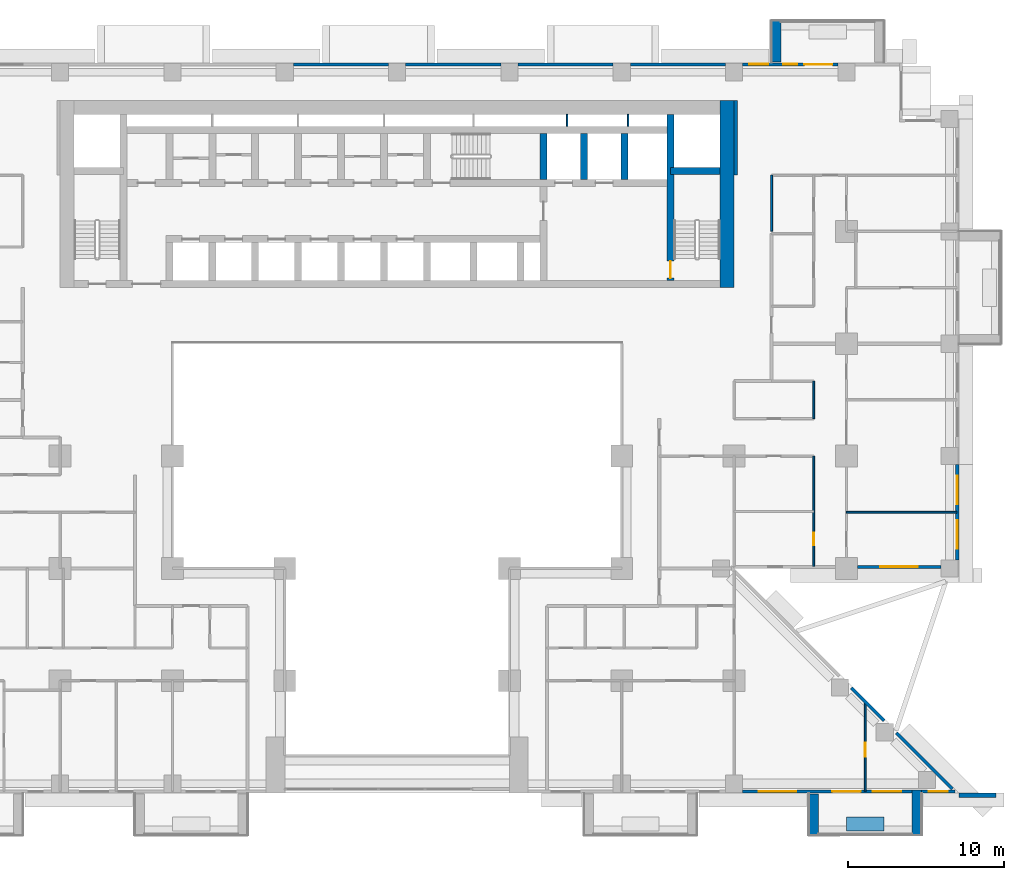
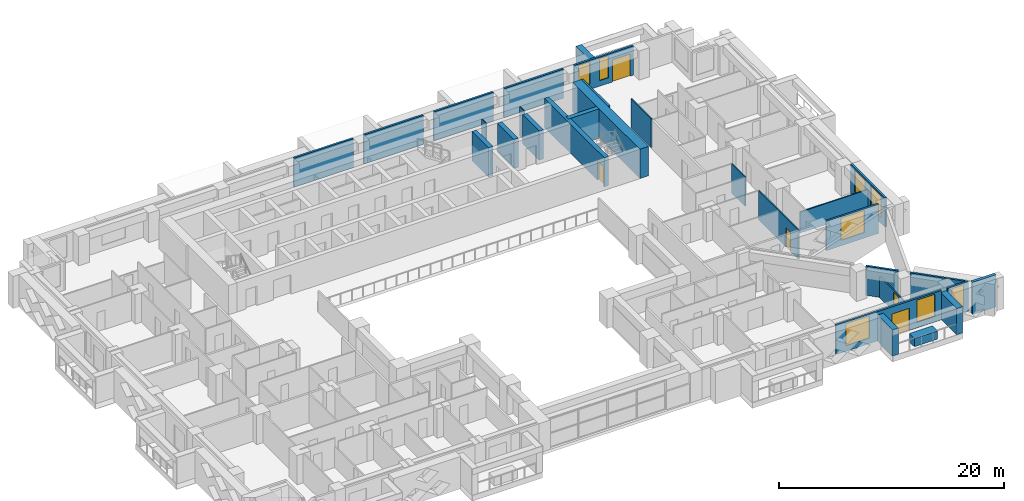
# One storey, part 11 of 17: 30 walls, 8 windows, 5 doors, 13 openings.
"""IFC4 building model written with IfcOpenShell, lengths in metres."""

from ifc_helpers import new_model, si_unit, direction, frame, frame_2d, origin, place, context, subcontext, project, spatial, rectangle, extrude, material, layer, layer_set, type_object, element, fill, save


model = new_model("IFC4")

# Units and contexts
model_context = context("Model", 3, precision=1e-05, world=origin(), true_north=direction((0.0, 1.0)))
body_context = subcontext(model_context, "Body", "Model", "MODEL_VIEW")
ifc_project = project(units=[si_unit("LENGTHUNIT", "METRE"), si_unit("AREAUNIT", "SQUARE_METRE"), si_unit("VOLUMEUNIT", "CUBIC_METRE"), si_unit("PLANEANGLEUNIT", "RADIAN"), si_unit("MASSUNIT", "GRAM", prefix="KILO")], contexts=[model_context])

# Site, building, storey
site_placement = place(None, origin())
site = spatial("IfcSite", under=ifc_project, at=site_placement, CompositionType="ELEMENT")
building_placement = place(site_placement, origin())
building = spatial("IfcBuilding", under=site, at=building_placement, Name="Saffron Iwan Residences", CompositionType="ELEMENT")
storey_placement = place(building_placement, frame((0.0, 0.0, 41.0)))
storey = spatial("IfcBuildingStorey", under=building, at=storey_placement, Name="L09", CompositionType="ELEMENT", Elevation=41.0)

# Walls
ifc_material_1 = material(Name="Concrete C50/60 white painted", Category="concrete")
ifc_layer_1 = layer(ifc_material_1, 0.60009765625)
ifc_layer_set_1 = layer_set([ifc_layer_1], Name="Concrete C50/60 white painted")
wall_type_1 = type_object("IfcWallType", Name="BALCONY FIN 600", PredefinedType="SOLIDWALL", material=ifc_layer_set_1)
for number, where, z_axis, x_axis, name in (
    (1, (74.699951171875, 80.449951171875, 0.0), (0.0, 0.0, 1.0), (0.0, 1.0, 0.0), "Balcony fin L09 F5-0b"),
    (2, (77.10009765625, 33.550048828125, 0.0), (0.0, 0.0, 1.0), (0.0, -1.0, 0.0), "Balcony fin L09 11-3a"),
):
    element("IfcWall", number, at=place(storey_placement, frame(where, z_axis=z_axis, x_axis=x_axis)), inside=storey, type_object=wall_type_1, Name=name, PredefinedType="SOLIDWALL", context=body_context, shape_type="SweptSolid", body=[
        extrude(rectangle(XDim=2.650146484375, YDim=0.60009765625, at=frame_2d((1.3251953125, 0.0))), origin(), (0.0, 0.0, 1.0), 2.85009765625),
    ])
wall_1_placement = place(storey_placement, frame((83.699951171875, 33.7919921875, 0.0), z_axis=(0.0, 0.0, 1.0), x_axis=(0.0, -1.0, 0.0)))
element("IfcWall", 3, at=wall_1_placement, inside=storey, type_object=wall_type_1, Name="Balcony fin L09 11-3b", PredefinedType="SOLIDWALL", context=body_context, shape_type="SweptSolid", body=[
    extrude(rectangle(XDim=2.89208984375, YDim=0.60009765625, at=frame_2d((1.446044921875, 0.0))), origin(), (0.0, 0.0, 1.0), 2.85009765625),
])
ifc_material_2 = material(Name="Concrete C35/45 white painted", Category="concrete")
ifc_layer_2 = layer(ifc_material_2, 0.14990234375)
ifc_layer_set_2 = layer_set([ifc_layer_2], Name="Concrete C35/45 white painted")
wall_type_2 = type_object("IfcWallType", Name="BALCONY PLANTER", PredefinedType="SOLIDWALL", material=ifc_layer_set_2)
wall_2_placement = place(storey_placement, frame((79.199951171875, 31.625, 0.0), z_axis=(0.0, 0.0, 1.0), x_axis=(1.0, 0.0, 0.0)))
element("IfcWall", 4, at=wall_2_placement, inside=storey, type_object=wall_type_2, Name="PLANTER L09 11-3", PredefinedType="SOLIDWALL", context=body_context, shape_type="SweptSolid", body=[
    extrude(rectangle(XDim=2.400146484375, YDim=0.89990234375, at=frame_2d((1.2001953125, 0.0))), origin(), (0.0, 0.0, 1.0), 0.89990234375),
])
ifc_material_3 = material(Name="Concrete C40/50", Category="concrete")
ifc_layer_3 = layer(ifc_material_3, 0.199951171875)
ifc_layer_set_3 = layer_set([ifc_layer_3], Name="Concrete C40/50")
wall_type_3 = type_object("IfcWallType", Name="EXTERNAL WALL 200", PredefinedType="SOLIDWALL", material=ifc_layer_set_3)
wall_3_placement = place(storey_placement, frame((85.995849609375, 33.862548828125, 0.0), z_axis=(0.0, 0.0, 1.0), x_axis=(-0.7070827891, 0.707130772459, 0.0)))
element("IfcWall", 5, at=wall_3_placement, inside=storey, type_object=wall_type_3, Name="External wall L09 F0.0", PredefinedType="SOLIDWALL", context=body_context, shape_type="SweptSolid", body=[
    extrude(rectangle(XDim=5.088134765625, YDim=0.199951171875, at=frame_2d((2.5439453125, 0.0))), origin(), (0.0, 0.0, 1.0), 3.179931640625),
])
wall_4_placement = place(storey_placement, frame((81.620361328125, 38.23828125, 0.0), z_axis=(0.0, 0.0, 1.0), x_axis=(-0.707106781187, 0.707106781187, 0.0)))
element("IfcWall", 6, at=wall_4_placement, inside=storey, type_object=wall_type_3, Name="External wall L09 F0.1", PredefinedType="SOLIDWALL", context=body_context, shape_type="SweptSolid", body=[
    extrude(rectangle(XDim=2.97265625, YDim=0.199951171875, at=frame_2d((1.486328125, 0.0))), origin(), (0.0, 0.0, 1.0), 3.179931640625),
])

# Wall, opening, window
wall_5_placement = place(storey_placement, frame((79.89990234375, 48.10009765625, 0.0), z_axis=(0.0, 0.0, 1.0), x_axis=(1.0, 0.0, 0.0)))
wall_5 = element("IfcWall", 7, at=wall_5_placement, inside=storey, type_object=wall_type_3, Name="External wall L09 F1.1", PredefinedType="SOLIDWALL", context=body_context, shape_type="SweptSolid", body=[
    extrude(rectangle(XDim=5.35009765625, YDim=0.199951171875, at=frame_2d((2.675048828125, 0.0))), origin(), (0.0, 0.0, 1.0), 3.179931640625),
])
opening_1_placement = place(wall_5_placement, frame((1.47509765625, 0.0, 0.60009765625)))
opening_1 = element("IfcOpeningElement", 8, at=opening_1_placement, cuts=wall_5, Name="Opening W1", PredefinedType="OPENING", context=body_context, shape_type="SweptSolid", body=[
    extrude(rectangle(XDim=2.39990234375, YDim=2.39990234375, at=frame_2d((1.199951171875, 1.199951171875))), frame((0.0, 0.10986328125, 0.0), z_axis=(0.0, -1.0, 0.0), x_axis=(1.0, 0.0, 0.0)), (0.0, 0.0, 1.0), 0.219970703125),
])
ifc_material_4 = material(Name="Clear glass, laminated double glazed", Category="glass")
window_type_1 = type_object("IfcWindowType", Name="WINDOW 2400 x 2400", PartitioningType="DOUBLE_PANEL_VERTICAL", PredefinedType="WINDOW", material=ifc_material_4)
window_1_placement = place(opening_1_placement, origin())
window_1 = element("IfcWindow", 9, at=window_1_placement, inside=storey, type_object=window_type_1, Name="Window L09 F1.0", OverallHeight=2.39990234375, OverallWidth=2.39990234375, PartitioningType="DOUBLE_PANEL_VERTICAL", PredefinedType="WINDOW", context=body_context, shape_type="SweptSolid", body=[
    extrude(rectangle(XDim=2.39990234375, YDim=2.39990234375, at=frame_2d((1.199951171875, 1.199951171875))), frame((0.0, 0.030029296875, 0.0), z_axis=(0.0, -1.0, 0.0), x_axis=(1.0, 0.0, 0.0)), (0.0, 0.0, 1.0), 0.06005859375),
])
fill(opening_1, window_1)

# Wall, openings, windows
wall_6_placement = place(storey_placement, frame((86.300048828125, 48.550048828125, 0.0), z_axis=(0.0, 0.0, 1.0), x_axis=(0.0, 1.0, 0.0)))
wall_6 = element("IfcWall", 10, at=wall_6_placement, inside=storey, type_object=wall_type_3, Name="External wall L09 F2.0", PredefinedType="SOLIDWALL", context=body_context, shape_type="SweptSolid", body=[
    extrude(rectangle(XDim=6.099853515625, YDim=0.199951171875, at=frame_2d((3.0498046875, 0.0))), origin(), (0.0, 0.0, 1.0), 3.179931640625),
])
opening_2_placement = place(wall_6_placement, frame((0.72509765625, 0.0, 0.60009765625)))
opening_2 = element("IfcOpeningElement", 11, at=opening_2_placement, cuts=wall_6, Name="Opening W8", PredefinedType="OPENING", context=body_context, shape_type="SweptSolid", body=[
    extrude(rectangle(XDim=1.800048828125, YDim=2.39990234375, at=frame_2d((0.89990234375, 1.199951171875))), frame((0.0, 0.10986328125, 0.0), z_axis=(0.0, -1.0, 0.0), x_axis=(1.0, 0.0, 0.0)), (0.0, 0.0, 1.0), 0.219970703125),
])
opening_3_placement = place(wall_6_placement, frame((3.574951171875, 0.0, 0.60009765625)))
opening_3 = element("IfcOpeningElement", 12, at=opening_3_placement, cuts=wall_6, Name="Opening W8", PredefinedType="OPENING", context=body_context, shape_type="SweptSolid", body=[
    extrude(rectangle(XDim=1.800048828125, YDim=2.39990234375, at=frame_2d((0.89990234375, 1.199951171875))), frame((0.0, 0.10986328125, 0.0), z_axis=(0.0, -1.0, 0.0), x_axis=(1.0, 0.0, 0.0)), (0.0, 0.0, 1.0), 0.219970703125),
])
window_type_2 = type_object("IfcWindowType", Name="WINDOW 1800 x 2400", PartitioningType="DOUBLE_PANEL_VERTICAL", PredefinedType="WINDOW", material=ifc_material_4)
window_2_placement = place(opening_2_placement, origin())
window_2 = element("IfcWindow", 13, at=window_2_placement, inside=storey, type_object=window_type_2, Name="Window L09 F2.0", OverallHeight=2.39990234375, OverallWidth=1.800048828125, PartitioningType="DOUBLE_PANEL_VERTICAL", PredefinedType="WINDOW", context=body_context, shape_type="SweptSolid", body=[
    extrude(rectangle(XDim=1.800048828125, YDim=2.39990234375, at=frame_2d((0.89990234375, 1.199951171875))), frame((0.0, 0.030029296875, 0.0), z_axis=(0.0, -1.0, 0.0), x_axis=(1.0, 0.0, 0.0)), (0.0, 0.0, 1.0), 0.06005859375),
])
fill(opening_2, window_2)
window_3_placement = place(opening_3_placement, origin())
window_3 = element("IfcWindow", 14, at=window_3_placement, inside=storey, type_object=window_type_2, Name="Window L09 F2.1", OverallHeight=2.39990234375, OverallWidth=1.800048828125, PartitioningType="DOUBLE_PANEL_VERTICAL", PredefinedType="WINDOW", context=body_context, shape_type="SweptSolid", body=[
    extrude(rectangle(XDim=1.800048828125, YDim=2.39990234375, at=frame_2d((0.89990234375, 1.199951171875))), frame((0.0, 0.030029296875, 0.0), z_axis=(0.0, -1.0, 0.0), x_axis=(1.0, 0.0, 0.0)), (0.0, 0.0, 1.0), 0.06005859375),
])
fill(opening_3, window_3)

# Wall, openings, door, windows
wall_7_placement = place(storey_placement, frame((78.64990234375, 80.300048828125, 0.0), z_axis=(0.0, 0.0, 1.0), x_axis=(-1.0, 0.0, 0.0)))
wall_7 = element("IfcWall", 15, at=wall_7_placement, inside=storey, type_object=wall_type_3, Name="External wall L09 F5.1", PredefinedType="SOLIDWALL", context=body_context, shape_type="SweptSolid", body=[
    extrude(rectangle(XDim=6.099853515625, YDim=0.199951171875, at=frame_2d((3.0498046875, 0.0))), origin(), (0.0, 0.0, 1.0), 3.179931640625),
])
opening_4_placement = place(wall_7_placement, frame((0.35009765625, 0.0, 0.0)))
opening_4 = element("IfcOpeningElement", 16, at=opening_4_placement, cuts=wall_7, Name="Opening BD1", PredefinedType="OPENING", context=body_context, shape_type="SweptSolid", body=[
    extrude(rectangle(XDim=1.800048828125, YDim=2.39990234375, at=frame_2d((0.89990234375, 1.199951171875))), frame((0.0, 0.10986328125, 0.0), z_axis=(0.0, -1.0, 0.0), x_axis=(1.0, 0.0, 0.0)), (0.0, 0.0, 1.0), 0.219970703125),
])
opening_5_placement = place(wall_7_placement, frame((2.60009765625, 0.0, 0.60009765625)))
opening_5 = element("IfcOpeningElement", 17, at=opening_5_placement, cuts=wall_7, Name="Opening W10", PredefinedType="OPENING", context=body_context, shape_type="SweptSolid", body=[
    extrude(rectangle(XDim=0.89990234375, YDim=2.39990234375, at=frame_2d((0.449951171875, 1.199951171875))), frame((0.0, 0.10986328125, 0.0), z_axis=(0.0, -1.0, 0.0), x_axis=(1.0, 0.0, 0.0)), (0.0, 0.0, 1.0), 0.219970703125),
])
opening_6_placement = place(wall_7_placement, frame((4.47509765625, 0.0, 0.60009765625)))
opening_6 = element("IfcOpeningElement", 18, at=opening_6_placement, cuts=wall_7, Name="Opening W3", PredefinedType="OPENING", context=body_context, shape_type="SweptSolid", body=[
    extrude(rectangle(XDim=1.199951171875, YDim=2.39990234375, at=frame_2d((0.60009765625, 1.199951171875))), frame((0.0, 0.10986328125, 0.0), z_axis=(0.0, -1.0, 0.0), x_axis=(1.0, 0.0, 0.0)), (0.0, 0.0, 1.0), 0.219970703125),
])
door_type_1 = type_object("IfcDoorType", Name="BALCONY DOOR 1800 x 2400", OperationType="DOUBLE_DOOR_SLIDING", PredefinedType="DOOR", material=ifc_material_4)
door_1_placement = place(opening_4_placement, origin())
door_1 = element("IfcDoor", 19, at=door_1_placement, inside=storey, type_object=door_type_1, Name="Balcony door L09 F5.0", OperationType="DOUBLE_DOOR_SLIDING", OverallHeight=2.39990234375, OverallWidth=1.800048828125, PredefinedType="DOOR", context=body_context, shape_type="SweptSolid", body=[
    extrude(rectangle(XDim=1.800048828125, YDim=2.39990234375, at=frame_2d((0.89990234375, 1.199951171875))), frame((0.0, 0.02490234375, 0.0), z_axis=(0.0, -1.0, 0.0), x_axis=(1.0, 0.0, 0.0)), (0.0, 0.0, 1.0), 0.050048828125),
])
fill(opening_4, door_1)
window_type_3 = type_object("IfcWindowType", Name="WINDOW 1200 x 2400", PartitioningType="SINGLE_PANEL", PredefinedType="WINDOW", material=ifc_material_4)
window_4_placement = place(opening_6_placement, origin())
window_4 = element("IfcWindow", 20, at=window_4_placement, inside=storey, type_object=window_type_3, Name="Window L09 F5.2", OverallHeight=2.39990234375, OverallWidth=1.199951171875, PartitioningType="SINGLE_PANEL", PredefinedType="WINDOW", context=body_context, shape_type="SweptSolid", body=[
    extrude(rectangle(XDim=1.199951171875, YDim=2.39990234375, at=frame_2d((0.60009765625, 1.199951171875))), frame((0.0, 0.030029296875, 0.0), z_axis=(0.0, -1.0, 0.0), x_axis=(1.0, 0.0, 0.0)), (0.0, 0.0, 1.0), 0.06005859375),
])
fill(opening_6, window_4)
window_type_4 = type_object("IfcWindowType", Name="WINDOW 900 x 2400", PartitioningType="SINGLE_PANEL", PredefinedType="WINDOW", material=ifc_material_4)
window_5_placement = place(opening_5_placement, origin())
window_5 = element("IfcWindow", 21, at=window_5_placement, inside=storey, type_object=window_type_4, Name="Window L09 F5.1", OverallHeight=2.39990234375, OverallWidth=0.89990234375, PartitioningType="SINGLE_PANEL", PredefinedType="WINDOW", context=body_context, shape_type="SweptSolid", body=[
    extrude(rectangle(XDim=0.89990234375, YDim=2.39990234375, at=frame_2d((0.449951171875, 1.199951171875))), frame((0.0, 0.030029296875, 0.0), z_axis=(0.0, -1.0, 0.0), x_axis=(1.0, 0.0, 0.0)), (0.0, 0.0, 1.0), 0.06005859375),
])
fill(opening_5, window_5)

# Walls
wall_8_placement = place(storey_placement, frame((71.449951171875, 80.300048828125, 0.0), z_axis=(0.0, 0.0, 1.0), x_axis=(-1.0, 0.0, 0.0)))
element("IfcWall", 22, at=wall_8_placement, inside=storey, type_object=wall_type_3, Name="External wall L09 F5.2", PredefinedType="SOLIDWALL", context=body_context, shape_type="SweptSolid", body=[
    extrude(rectangle(XDim=6.099853515625, YDim=0.199951171875, at=frame_2d((3.0498046875, 0.0))), origin(), (0.0, 0.0, 1.0), 3.179931640625),
])
for number, where, z_axis, x_axis, name in (
    (23, (64.25, 80.300048828125, 0.0), (0.0, 0.0, 1.0), (-1.0, 0.0, 0.0), "External wall L09 F5.3"),
    (24, (57.050048828125, 80.300048828125, 0.0), (0.0, 0.0, 1.0), (-1.0, 0.0, 0.0), "External wall L09 F5.4"),
    (25, (49.85009765625, 80.300048828125, 0.0), (0.0, 0.0, 1.0), (-1.0, 0.0, 0.0), "External wall L09 F5.5"),
):
    element("IfcWall", number, at=place(storey_placement, frame(where, z_axis=z_axis, x_axis=x_axis)), inside=storey, type_object=wall_type_3, Name=name, PredefinedType="SOLIDWALL", context=body_context, shape_type="SweptSolid", body=[
        extrude(rectangle(XDim=6.10009765625, YDim=0.199951171875, at=frame_2d((3.050048828125, 0.0))), origin(), (0.0, 0.0, 1.0), 3.179931640625),
    ])

# Wall, openings, door, windows
wall_9_placement = place(storey_placement, frame((72.550048828125, 33.699951171875, 0.0), z_axis=(0.0, 0.0, 1.0), x_axis=(1.0, 0.0, 0.0)))
wall_9 = element("IfcWall", 26, at=wall_9_placement, inside=storey, type_object=wall_type_3, Name="External wall L09 F11.6", PredefinedType="SOLIDWALL", context=body_context, shape_type="SweptSolid", body=[
    extrude(rectangle(XDim=10.849853515625, YDim=0.199951171875, at=frame_2d((5.4248046875, 0.0))), origin(), (0.0, 0.0, 1.0), 3.179931640625),
])
opening_7_placement = place(wall_9_placement, frame((5.75, 0.0, 0.0)))
opening_7 = element("IfcOpeningElement", 27, at=opening_7_placement, cuts=wall_9, Name="Opening BD1", PredefinedType="OPENING", context=body_context, shape_type="SweptSolid", body=[
    extrude(rectangle(XDim=1.800048828125, YDim=2.39990234375, at=frame_2d((0.89990234375, 1.199951171875))), frame((0.0, 0.10986328125, 0.0), z_axis=(0.0, -1.0, 0.0), x_axis=(1.0, 0.0, 0.0)), (0.0, 0.0, 1.0), 0.219970703125),
])
opening_8_placement = place(wall_9_placement, frame((1.02490234375, 0.0, 0.60009765625)))
opening_8 = element("IfcOpeningElement", 28, at=opening_8_placement, cuts=wall_9, Name="Opening W1", PredefinedType="OPENING", context=body_context, shape_type="SweptSolid", body=[
    extrude(rectangle(XDim=2.39990234375, YDim=2.39990234375, at=frame_2d((1.199951171875, 1.199951171875))), frame((0.0, 0.10986328125, 0.0), z_axis=(0.0, -1.0, 0.0), x_axis=(1.0, 0.0, 0.0)), (0.0, 0.0, 1.0), 0.219970703125),
])
opening_9_placement = place(wall_9_placement, frame((8.35009765625, 0.0, 0.60009765625)))
opening_9 = element("IfcOpeningElement", 29, at=opening_9_placement, cuts=wall_9, Name="Opening W8", PredefinedType="OPENING", context=body_context, shape_type="SweptSolid", body=[
    extrude(rectangle(XDim=1.800048828125, YDim=2.39990234375, at=frame_2d((0.89990234375, 1.199951171875))), frame((0.0, 0.10986328125, 0.0), z_axis=(0.0, -1.0, 0.0), x_axis=(1.0, 0.0, 0.0)), (0.0, 0.0, 1.0), 0.219970703125),
])
door_2_placement = place(opening_7_placement, origin())
door_2 = element("IfcDoor", 30, at=door_2_placement, inside=storey, type_object=door_type_1, Name="Balcony door L09 F11.0", OperationType="DOUBLE_DOOR_SLIDING", OverallHeight=2.39990234375, OverallWidth=1.800048828125, PredefinedType="DOOR", context=body_context, shape_type="SweptSolid", body=[
    extrude(rectangle(XDim=1.800048828125, YDim=2.39990234375, at=frame_2d((0.89990234375, 1.199951171875))), frame((0.0, 0.02490234375, 0.0), z_axis=(0.0, -1.0, 0.0), x_axis=(1.0, 0.0, 0.0)), (0.0, 0.0, 1.0), 0.050048828125),
])
fill(opening_7, door_2)
window_6_placement = place(opening_9_placement, origin())
window_6 = element("IfcWindow", 31, at=window_6_placement, inside=storey, type_object=window_type_2, Name="Window L09 F11.2", OverallHeight=2.39990234375, OverallWidth=1.800048828125, PartitioningType="DOUBLE_PANEL_VERTICAL", PredefinedType="WINDOW", context=body_context, shape_type="SweptSolid", body=[
    extrude(rectangle(XDim=1.800048828125, YDim=2.39990234375, at=frame_2d((0.89990234375, 1.199951171875))), frame((0.0, 0.030029296875, 0.0), z_axis=(0.0, -1.0, 0.0), x_axis=(1.0, 0.0, 0.0)), (0.0, 0.0, 1.0), 0.06005859375),
])
fill(opening_9, window_6)
window_7_placement = place(opening_8_placement, origin())
window_7 = element("IfcWindow", 32, at=window_7_placement, inside=storey, type_object=window_type_1, Name="Window L09 F11.1", OverallHeight=2.39990234375, OverallWidth=2.39990234375, PartitioningType="DOUBLE_PANEL_VERTICAL", PredefinedType="WINDOW", context=body_context, shape_type="SweptSolid", body=[
    extrude(rectangle(XDim=2.39990234375, YDim=2.39990234375, at=frame_2d((1.199951171875, 1.199951171875))), frame((0.0, 0.030029296875, 0.0), z_axis=(0.0, -1.0, 0.0), x_axis=(1.0, 0.0, 0.0)), (0.0, 0.0, 1.0), 0.06005859375),
])
fill(opening_8, window_7)

# Wall, opening, window
wall_10_placement = place(storey_placement, frame((84.0, 33.699951171875, 0.0), z_axis=(0.0, 0.0, 1.0), x_axis=(1.0, 0.0, 0.0)))
wall_10 = element("IfcWall", 33, at=wall_10_placement, inside=storey, type_object=wall_type_3, Name="External wall L09 F11.7", PredefinedType="SOLIDWALL", context=body_context, shape_type="SweptSolid", body=[
    extrude(rectangle(XDim=2.15869140625, YDim=0.199951171875, at=frame_2d((1.079345703125, 0.0))), origin(), (0.0, 0.0, 1.0), 3.179931640625),
])
opening_10_placement = place(wall_10_placement, frame((0.479248046875, 0.0, 0.60009765625)))
opening_10 = element("IfcOpeningElement", 34, at=opening_10_placement, cuts=wall_10, Name="Opening W3", PredefinedType="OPENING", context=body_context, shape_type="SweptSolid", body=[
    extrude(rectangle(XDim=1.199951171875, YDim=2.39990234375, at=frame_2d((0.60009765625, 1.199951171875))), frame((0.0, 0.10986328125, 0.0), z_axis=(0.0, -1.0, 0.0), x_axis=(1.0, 0.0, 0.0)), (0.0, 0.0, 1.0), 0.219970703125),
])
window_8_placement = place(opening_10_placement, origin())
window_8 = element("IfcWindow", 35, at=window_8_placement, inside=storey, type_object=window_type_3, Name="Window L09 F11.0", OverallHeight=2.39990234375, OverallWidth=1.199951171875, PartitioningType="SINGLE_PANEL", PredefinedType="WINDOW", context=body_context, shape_type="SweptSolid", body=[
    extrude(rectangle(XDim=1.199951171875, YDim=2.39990234375, at=frame_2d((0.60009765625, 1.199951171875))), frame((0.0, 0.030029296875, 0.0), z_axis=(0.0, -1.0, 0.0), x_axis=(1.0, 0.0, 0.0)), (0.0, 0.0, 1.0), 0.06005859375),
])
fill(opening_10, window_8)

# Walls
ifc_material_5 = material(Name="Gypsum board partition")
ifc_layer_4 = layer(ifc_material_5, 0.1201171875)
ifc_layer_set_4 = layer_set([ifc_layer_4], Name="Gypsum board partition")
wall_type_4 = type_object("IfcWallType", Name="Flat partition 120", PredefinedType="PARTITIONING", material=ifc_layer_set_4)
wall_11_placement = place(storey_placement, frame((79.199951171875, 51.60009765625, 0.0), z_axis=(0.0, 0.0, 1.0), x_axis=(1.0, 0.0, 0.0)))
element("IfcWall", 36, at=wall_11_placement, inside=storey, type_object=wall_type_4, Name="W-L09-PART-h51.6-79.2", PredefinedType="PARTITIONING", context=body_context, shape_type="SweptSolid", body=[
    extrude(rectangle(XDim=7.074951171875, YDim=0.1201171875, at=frame_2d((3.53759765625, 0.0))), origin(), (0.0, 0.0, 1.0), 2.280029296875),
])
wall_12_placement = place(storey_placement, frame((74.39990234375, 69.6201171875, 0.0), z_axis=(0.0, 0.0, 1.0), x_axis=(0.0, 1.0, 0.0)))
element("IfcWall", 37, at=wall_12_placement, inside=storey, type_object=wall_type_4, Name="W-L09-PART-v74.4-69.62", PredefinedType="PARTITIONING", context=body_context, shape_type="SweptSolid", body=[
    extrude(rectangle(XDim=3.579833984375, YDim=0.1201171875, at=frame_2d((1.7900390625, 0.0))), origin(), (0.0, 0.0, 1.0), 3.179931640625),
])

# Wall, opening, door
wall_13_placement = place(storey_placement, frame((77.10009765625, 48.125, 0.0), z_axis=(0.0, 0.0, 1.0), x_axis=(0.0, 1.0, 0.0)))
wall_13 = element("IfcWall", 38, at=wall_13_placement, inside=storey, type_object=wall_type_4, Name="W-L09-PART-v77.1-48.125", PredefinedType="PARTITIONING", context=body_context, shape_type="SweptSolid", body=[
    extrude(rectangle(XDim=7.074951171875, YDim=0.1201171875, at=frame_2d((3.53759765625, 0.0))), origin(), (0.0, 0.0, 1.0), 3.179931640625),
])
opening_11_placement = place(wall_13_placement, frame((1.362548828125, 0.0, 0.0)))
opening_11 = element("IfcOpeningElement", 39, at=opening_11_placement, cuts=wall_13, Name="Opening FD3", PredefinedType="OPENING", context=body_context, shape_type="SweptSolid", body=[
    extrude(rectangle(XDim=0.800048828125, YDim=2.10009765625, at=frame_2d((0.39990234375, 1.050048828125))), frame((0.0, 0.070068359375, 0.0), z_axis=(0.0, -1.0, 0.0), x_axis=(1.0, 0.0, 0.0)), (0.0, 0.0, 1.0), 0.14013671875),
])
ifc_material_6 = material(Name="Timber door", Category="wood")
door_type_2 = type_object("IfcDoorType", Name="Bathroom door 800", OperationType="NOTDEFINED", PredefinedType="DOOR", material=ifc_material_6)
door_3_placement = place(opening_11_placement, origin())
door_3 = element("IfcDoor", 40, at=door_3_placement, inside=storey, type_object=door_type_2, Name="Door L09-023", OperationType="SINGLE_SWING_LEFT", OverallHeight=2.10009765625, OverallWidth=0.800048828125, PredefinedType="DOOR", context=body_context, shape_type="SweptSolid", body=[
    extrude(rectangle(XDim=0.800048828125, YDim=2.10009765625, at=frame_2d((0.39990234375, 1.050048828125))), frame((0.0, 0.02490234375, 0.0), z_axis=(0.0, -1.0, 0.0), x_axis=(1.0, 0.0, 0.0)), (0.0, 0.0, 1.0), 0.050048828125),
])
fill(opening_11, door_3)

# Wall
wall_14_placement = place(storey_placement, frame((77.10009765625, 57.60009765625, 0.0), z_axis=(0.0, 0.0, 1.0), x_axis=(0.0, 1.0, 0.0)))
element("IfcWall", 41, at=wall_14_placement, inside=storey, type_object=wall_type_4, Name="W-L09-PART-v77.1-57.6", PredefinedType="PARTITIONING", context=body_context, shape_type="SweptSolid", body=[
    extrude(rectangle(XDim=2.39990234375, YDim=0.1201171875, at=frame_2d((1.199951171875, 0.0))), origin(), (0.0, 0.0, 1.0), 3.179931640625),
])

# Wall, opening, door
wall_15_placement = place(storey_placement, frame((80.39990234375, 33.72509765625, 0.0), z_axis=(0.0, 0.0, 1.0), x_axis=(0.0, 1.0, 0.0)))
wall_15 = element("IfcWall", 42, at=wall_15_placement, inside=storey, type_object=wall_type_4, Name="W-L09-PART-v80.4-33.725", PredefinedType="PARTITIONING", context=body_context, shape_type="SweptSolid", body=[
    extrude(rectangle(XDim=5.697998046875, YDim=0.1201171875, at=frame_2d((2.84912109375, 0.0))), origin(), (0.0, 0.0, 1.0), 2.280029296875),
])
opening_12_placement = place(wall_15_placement, frame((2.198974609375, 0.0, 0.0)))
opening_12 = element("IfcOpeningElement", 43, at=opening_12_placement, cuts=wall_15, Name="Opening FD2", PredefinedType="OPENING", context=body_context, shape_type="SweptSolid", body=[
    extrude(rectangle(XDim=0.89990234375, YDim=2.10009765625, at=frame_2d((0.449951171875, 1.050048828125))), frame((0.0, 0.070068359375, 0.0), z_axis=(0.0, -1.0, 0.0), x_axis=(1.0, 0.0, 0.0)), (0.0, 0.0, 1.0), 0.14013671875),
])
door_type_3 = type_object("IfcDoorType", Name="Flat door 900", OperationType="NOTDEFINED", PredefinedType="DOOR", material=ifc_material_6)
door_4_placement = place(opening_12_placement, origin())
door_4 = element("IfcDoor", 44, at=door_4_placement, inside=storey, type_object=door_type_3, Name="Door L09-050", OperationType="SINGLE_SWING_RIGHT", OverallHeight=2.10009765625, OverallWidth=0.89990234375, PredefinedType="DOOR", context=body_context, shape_type="SweptSolid", body=[
    extrude(rectangle(XDim=0.89990234375, YDim=2.10009765625, at=frame_2d((0.449951171875, 1.050048828125))), frame((0.0, 0.02490234375, 0.0), z_axis=(0.0, -1.0, 0.0), x_axis=(1.0, 0.0, 0.0)), (0.0, 0.0, 1.0), 0.050048828125),
])
fill(opening_12, door_4)

# Walls
ifc_material_7 = material(Name="Fire-rated gypsum board wall")
ifc_layer_5 = layer(ifc_material_7, 0.199951171875)
ifc_layer_set_5 = layer_set([ifc_layer_5], Name="Fire-rated gypsum board wall")
wall_type_5 = type_object("IfcWallType", Name="Gallery wall 200", PredefinedType="SOLIDWALL", material=ifc_layer_set_5)
wall_16_placement = place(storey_placement, frame((72.10009765625, 73.199951171875, 0.0), z_axis=(0.0, 0.0, 1.0), x_axis=(0.0, 1.0, 0.0)))
element("IfcWall", 45, at=wall_16_placement, inside=storey, type_object=wall_type_5, Name="W-L09-CORR-v72-73.2", PredefinedType="SOLIDWALL", context=body_context, shape_type="SweptSolid", body=[
    extrude(rectangle(XDim=4.800048828125, YDim=0.199951171875, at=frame_2d((2.39990234375, 0.0))), origin(), (0.0, 0.0, 1.0), 3.179931640625),
])
ifc_layer_6 = layer(ifc_material_1, 0.300048828125)
ifc_layer_set_6 = layer_set([ifc_layer_6], Name="Concrete C50/60 white painted")
wall_type_6 = type_object("IfcWallType", Name="PROW BLADE 300", PredefinedType="SOLIDWALL", material=ifc_layer_set_6)
wall_17_placement = place(storey_placement, frame((86.39990234375, 33.449951171875, -0.320068359375), z_axis=(0.0, 0.0, 1.0), x_axis=(1.0, 0.0, 0.0)))
element("IfcWall", 46, at=wall_17_placement, inside=storey, type_object=wall_type_6, Name="Prow blade L09", PredefinedType="SOLIDWALL", context=body_context, shape_type="SweptSolid", body=[
    extrude(rectangle(XDim=2.400146484375, YDim=0.300048828125, at=frame_2d((1.2001953125, 0.0))), origin(), (0.0, 0.0, 1.0), 3.5),
])
ifc_material_8 = material(Name="Fire-rated plasterboard partition")
ifc_layer_7 = layer(ifc_material_8, 0.10009765625)
ifc_layer_set_7 = layer_set([ifc_layer_7], Name="Fire-rated plasterboard partition")
wall_type_7 = type_object("IfcWallType", Name="Riser partition 100", PredefinedType="PARTITIONING", material=ifc_layer_set_7)
for number, where, z_axis, x_axis, name in (
    (47, (61.300048828125, 76.324951171875, 0.0), (0.0, 0.0, 1.0), (0.0, 1.0, 0.0), "Core partition P10"),
    (48, (65.199951171875, 76.324951171875, 0.0), (0.0, 0.0, 1.0), (0.0, 1.0, 0.0), "Core partition P11"),
):
    element("IfcWall", number, at=place(storey_placement, frame(where, z_axis=z_axis, x_axis=x_axis)), inside=storey, type_object=wall_type_7, Name=name, PredefinedType="PARTITIONING", context=body_context, shape_type="SweptSolid", body=[
        extrude(rectangle(XDim=0.775146484375, YDim=0.10009765625, at=frame_2d((0.3876953125, 0.0))), origin(), (0.0, 0.0, 1.0), 3.179931640625),
    ])
ifc_material_9 = material(Name="Concrete C60/75", Category="concrete")
ifc_layer_8 = layer(ifc_material_9, 0.449951171875)
ifc_layer_set_8 = layer_set([ifc_layer_8], Name="Concrete C60/75")
wall_type_8 = type_object("IfcWallType", Name="WALL CORE 450 C60/75 3180 HIGH", PredefinedType="SHEAR", material=ifc_layer_set_8)
wall_18_placement = place(storey_placement, frame((67.925048828125, 73.47509765625, 0.0), z_axis=(0.0, 0.0, 1.0), x_axis=(1.0, 0.0, 0.0)))
element("IfcWall", 49, at=wall_18_placement, inside=storey, type_object=wall_type_8, Name="Core wall", PredefinedType="SHEAR", context=body_context, shape_type="SweptSolid", body=[
    extrude(rectangle(XDim=3.175048828125, YDim=0.449951171875, at=frame_2d((1.58740234375, 0.0))), origin(), (0.0, 0.0, 1.0), 3.179931640625),
])

# Wall, opening, door
wall_19_placement = place(storey_placement, frame((67.925048828125, 66.449951171875, 0.0), z_axis=(0.0, 0.0, 1.0), x_axis=(0.0, 1.0, 0.0)))
wall_19 = element("IfcWall", 50, at=wall_19_placement, inside=storey, type_object=wall_type_8, Name="Core wall", PredefinedType="SHEAR", context=body_context, shape_type="SweptSolid", body=[
    extrude(rectangle(XDim=10.650146484375, YDim=0.449951171875, at=frame_2d((5.3251953125, 0.0))), origin(), (0.0, 0.0, 1.0), 3.179931640625),
])
opening_13_placement = place(wall_19_placement, frame((0.14990234375, 0.0, 0.0)))
opening_13 = element("IfcOpeningElement", 51, at=opening_13_placement, cuts=wall_19, Name="Opening SD", PredefinedType="OPENING", context=body_context, shape_type="SweptSolid", body=[
    extrude(rectangle(XDim=1.10009765625, YDim=2.10009765625, at=frame_2d((0.550048828125, 1.050048828125))), frame((0.0, 0.23486328125, 0.0), z_axis=(0.0, -1.0, 0.0), x_axis=(1.0, 0.0, 0.0)), (0.0, 0.0, 1.0), 0.469970703125),
])
ifc_material_10 = material(Name="Steel fire door", Category="steel")
door_type_4 = type_object("IfcDoorType", Name="Stair door 1100", OperationType="NOTDEFINED", PredefinedType="DOOR", material=ifc_material_10)
door_5_placement = place(opening_13_placement, origin())
door_5 = element("IfcDoor", 52, at=door_5_placement, inside=storey, type_object=door_type_4, Name="Stair door ST-E", OperationType="SINGLE_SWING_LEFT", OverallHeight=2.10009765625, OverallWidth=1.10009765625, PredefinedType="DOOR", context=body_context, shape_type="SweptSolid", body=[
    extrude(rectangle(XDim=1.10009765625, YDim=2.10009765625, at=frame_2d((0.550048828125, 1.050048828125))), frame((0.0, 0.02490234375, 0.0), z_axis=(0.0, -1.0, 0.0), x_axis=(1.0, 0.0, 0.0)), (0.0, 0.0, 1.0), 0.050048828125),
])
fill(opening_13, door_5)

# Walls
for number, where, z_axis, x_axis, name in (
    (53, (59.77490234375, 72.925048828125, 0.0), (0.0, 0.0, 1.0), (0.0, 1.0, 0.0), "Core wall"),
    (54, (62.375, 72.925048828125, 0.0), (0.0, 0.0, 1.0), (0.0, 1.0, 0.0), "Core wall"),
    (55, (64.97509765625, 72.925048828125, 0.0), (0.0, 0.0, 1.0), (0.0, 1.0, 0.0), "Core wall"),
):
    element("IfcWall", number, at=place(storey_placement, frame(where, z_axis=z_axis, x_axis=x_axis)), inside=storey, type_object=wall_type_8, Name=name, PredefinedType="SHEAR", context=body_context, shape_type="SweptSolid", body=[
        extrude(rectangle(XDim=2.949951171875, YDim=0.449951171875, at=frame_2d((1.47509765625, 0.0))), origin(), (0.0, 0.0, 1.0), 3.179931640625),
    ])
ifc_layer_9 = layer(ifc_material_9, 0.89990234375)
ifc_layer_set_9 = layer_set([ifc_layer_9], Name="Concrete C60/75")
wall_type_9 = type_object("IfcWallType", Name="WALL CORE 900 C60/75 3180 HIGH", PredefinedType="SHEAR", material=ifc_layer_set_9)
wall_20_placement = place(storey_placement, frame((71.550048828125, 66.0, 0.0), z_axis=(0.0, 0.0, 1.0), x_axis=(0.0, 1.0, 0.0)))
element("IfcWall", 56, at=wall_20_placement, inside=storey, type_object=wall_type_9, Name="Core wall", PredefinedType="SHEAR", context=body_context, shape_type="SweptSolid", body=[
    extrude(rectangle(XDim=12.0, YDim=0.89990234375, at=frame_2d((6.0, 0.0))), origin(), (0.0, 0.0, 1.0), 3.179931640625),
])

save(model, "model.ifc")
